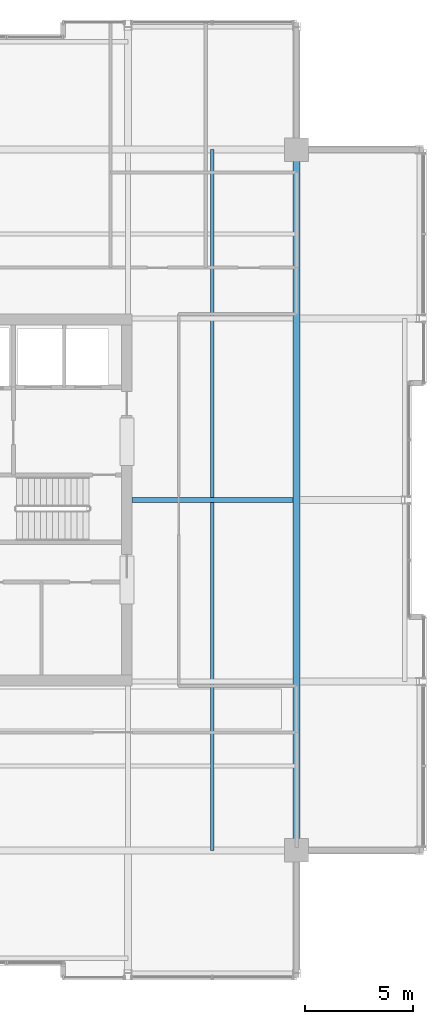
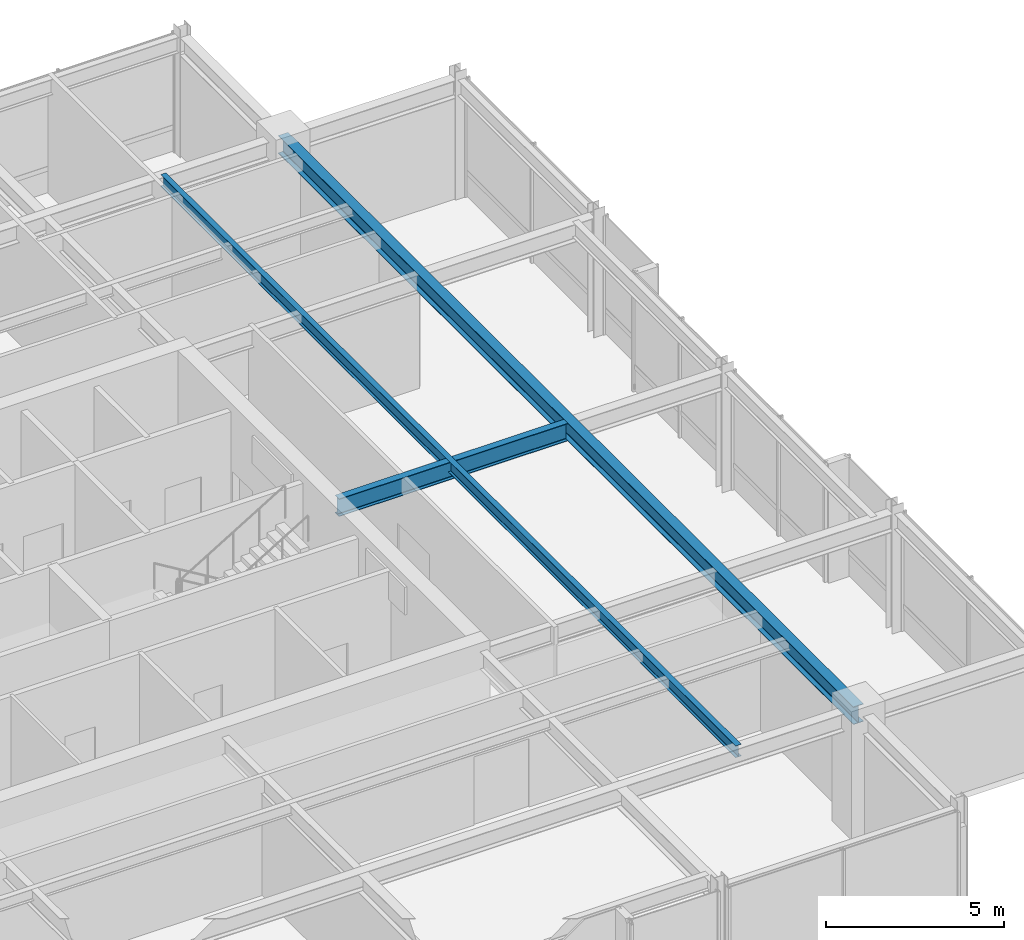
# One storey, part 18 of 34: 3 beams.
"""IFC4 building model written with IfcOpenShell, lengths in metres."""

from ifc_helpers import new_model, si_unit, direction, frame, origin, origin_2d, place, context, subcontext, project, spatial, i_section, extrude, material, material_profile, profile_set, type_object, element, save


model = new_model("IFC4")

# Units and contexts
model_context = context("Model", 3, precision=1e-05, world=origin(), true_north=direction((0.0, 1.0)))
body_context = subcontext(model_context, "Body", "Model", "MODEL_VIEW")
ifc_project = project(units=[si_unit("LENGTHUNIT", "METRE"), si_unit("AREAUNIT", "SQUARE_METRE"), si_unit("VOLUMEUNIT", "CUBIC_METRE"), si_unit("PLANEANGLEUNIT", "RADIAN"), si_unit("MASSUNIT", "GRAM", prefix="KILO")], contexts=[model_context])

# Site, building, storey
site_placement = place(None, origin())
site = spatial("IfcSite", under=ifc_project, at=site_placement, CompositionType="ELEMENT")
building_placement = place(site_placement, origin())
building = spatial("IfcBuilding", under=site, at=building_placement, Name="Drelvath Grand Hotel", CompositionType="ELEMENT")
storey_placement = place(building_placement, frame((0.0, 0.0, 294.199951171875)))
storey = spatial("IfcBuildingStorey", under=building, at=storey_placement, Name="L77", CompositionType="ELEMENT", Elevation=294.199951171875)

# Beams
ifc_material = material(Name="Steel ASTM A992 Gr 50", Category="steel")
ifc_material_profile_1 = material_profile(ifc_material, i_section(OverallWidth=0.177734375, OverallDepth=0.40673828125, WebThickness=0.0078125, FlangeThickness=0.0126953125, FilletRadius=0.014892578125, at=origin_2d()), Name="W16X40")
ifc_profile_set_1 = profile_set([ifc_material_profile_1], Name="Steel ASTM A992 Gr 50")
beam_type_1 = type_object("IfcBeamType", Name="Composite Floor Joist W16X40", PredefinedType="JOIST", material=ifc_profile_set_1)
beam_1_placement = place(storey_placement, frame((12.300048828125, 10.800048828125, 3.896728515625), z_axis=(0.0, 1.0, 0.0), x_axis=(-1.0, 0.0, 0.0)))
element("IfcBeam", 1, at=beam_1_placement, inside=storey, type_object=beam_type_1, Name="L77 Wing Floor Joist J4", PredefinedType="JOIST", context=body_context, shape_type="SweptSolid", body=[
    extrude(i_section(OverallWidth=0.177734375, OverallDepth=0.40673828125, WebThickness=0.0078125, FlangeThickness=0.0126953125, FilletRadius=0.014892578125, at=origin_2d()), origin(), (0.0, 0.0, 1.0), 32.39990234375),
])
ifc_material_profile_2 = material_profile(ifc_material, i_section(OverallWidth=0.323974609375, OverallDepth=0.611083984375, WebThickness=0.0126953125, FlangeThickness=0.01904296875, FilletRadius=0.02197265625, at=origin_2d()), Name="W24X104")
ifc_profile_set_2 = profile_set([ifc_material_profile_2], Name="Steel ASTM A992 Gr 50")
beam_type_2 = type_object("IfcBeamType", Name="Primary Floor Girder W24X104", PredefinedType="BEAM", material=ifc_profile_set_2)
beam_2_placement = place(storey_placement, frame((16.199951171875, 10.800048828125, 3.79443359375), z_axis=(0.0, 1.0, 0.0), x_axis=(-1.0, 0.0, 0.0)))
element("IfcBeam", 2, at=beam_2_placement, inside=storey, type_object=beam_type_2, Name="L77 Mega Ring Girder East", PredefinedType="BEAM", context=body_context, shape_type="SweptSolid", body=[
    extrude(i_section(OverallWidth=0.323974609375, OverallDepth=0.611083984375, WebThickness=0.0126953125, FlangeThickness=0.01904296875, FilletRadius=0.02197265625, at=origin_2d()), origin(), (0.0, 0.0, 1.0), 32.39990234375),
])
ifc_material_profile_3 = material_profile(ifc_material, i_section(OverallWidth=0.228271484375, OverallDepth=0.607666015625, WebThickness=0.01123046875, FlangeThickness=0.017333984375, FilletRadius=0.02001953125, at=origin_2d()), Name="W24X76")
ifc_profile_set_3 = profile_set([ifc_material_profile_3], Name="Steel ASTM A992 Gr 50")
beam_type_3 = type_object("IfcBeamType", Name="Primary Floor Girder W24X76", PredefinedType="BEAM", material=ifc_profile_set_3)
beam_3_placement = place(storey_placement, frame((8.60009765625, 27.0, 3.796142578125), z_axis=(1.0, 0.0, 0.0), x_axis=(0.0, 1.0, 0.0)))
element("IfcBeam", 3, at=beam_3_placement, inside=storey, type_object=beam_type_3, Name="L77 East Core Tie E", PredefinedType="BEAM", context=body_context, shape_type="SweptSolid", body=[
    extrude(i_section(OverallWidth=0.228271484375, OverallDepth=0.607666015625, WebThickness=0.01123046875, FlangeThickness=0.017333984375, FilletRadius=0.02001953125, at=origin_2d()), origin(), (0.0, 0.0, 1.0), 7.43798828125),
])

save(model, "model.ifc")
